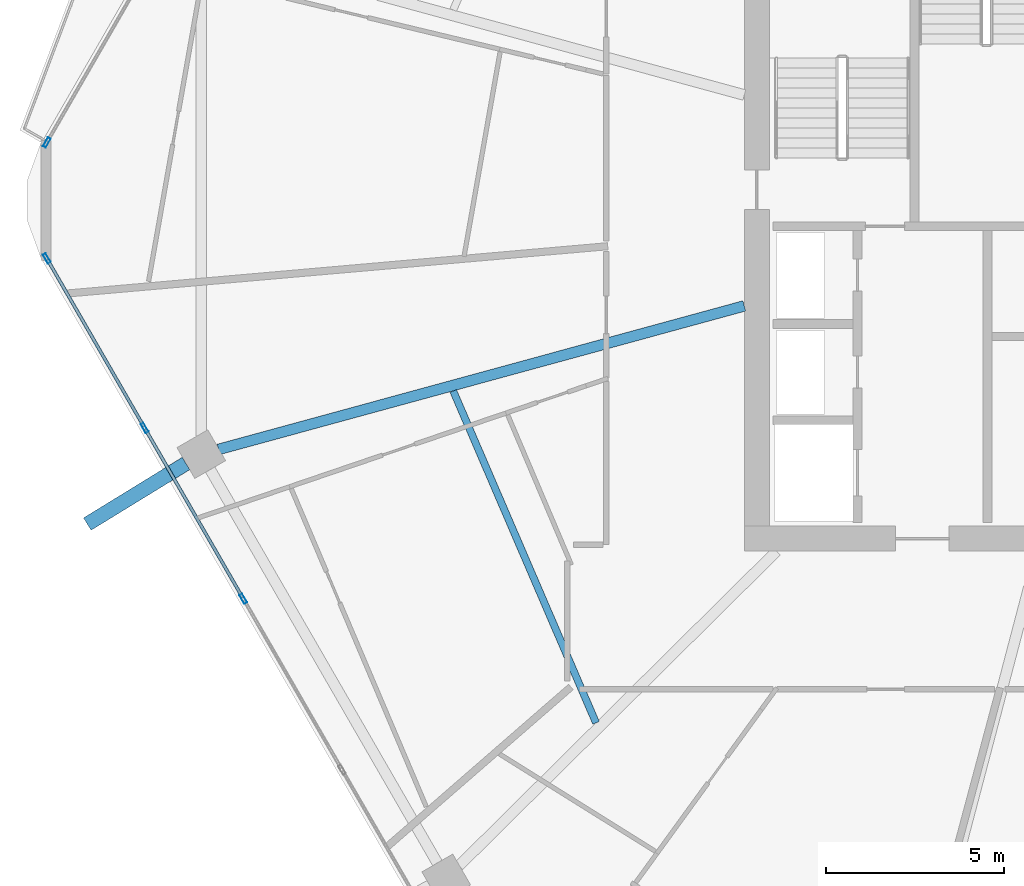
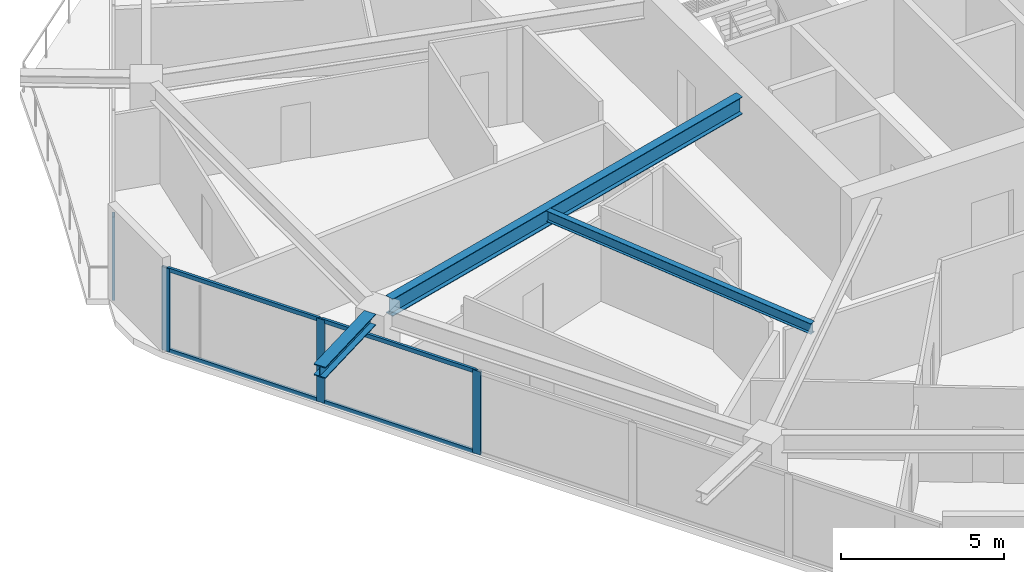
# One storey, part 5 of 26: 8 members, 3 beams, 2 elements without a shape of their own.
"""IFC4 building model written with IfcOpenShell, lengths in metres."""

from ifc_helpers import new_model, si_unit, direction, frame, origin, origin_2d, place, context, subcontext, project, spatial, hollow_rectangle, i_section, extrude, material, material_profile, profile_set, type_object, element, aggregate, save


model = new_model("IFC4")

# Units and contexts
model_context = context("Model", 3, precision=1e-05, world=origin(), true_north=direction((0.0, 1.0)))
body_context = subcontext(model_context, "Body", "Model", "MODEL_VIEW")
ifc_project = project(units=[si_unit("LENGTHUNIT", "METRE"), si_unit("AREAUNIT", "SQUARE_METRE"), si_unit("VOLUMEUNIT", "CUBIC_METRE"), si_unit("PLANEANGLEUNIT", "RADIAN"), si_unit("MASSUNIT", "GRAM", prefix="KILO")], contexts=[model_context])

# Site, building, storey
site_placement = place(None, origin())
site = spatial("IfcSite", under=ifc_project, at=site_placement, CompositionType="ELEMENT")
building_placement = place(site_placement, origin())
building = spatial("IfcBuilding", under=site, at=building_placement, Name="Zuhravey Tower", CompositionType="ELEMENT")
storey_placement = place(building_placement, frame((0.0, 0.0, 165.60009765625)))
storey = spatial("IfcBuildingStorey", under=building, at=storey_placement, Name="L41", CompositionType="ELEMENT", Elevation=165.60009765625)

# Curtain wall, members
ifc_material_1 = material(Name="Thermally broken anodised aluminium", Category="aluminium")
curtain_wall_type = type_object("IfcCurtainWallType", Name="Zone 1-2 Residential Curtain Wall CW3", PredefinedType="NOTDEFINED", material=ifc_material_1)
curtain_wall_1_placement = place(storey_placement, origin())
curtain_wall_1 = element("IfcCurtainWall", 1, at=curtain_wall_1_placement, inside=storey, type_object=curtain_wall_type, Name="L41 CW3 CW-L41-F4-1", PredefinedType="NOTDEFINED")
ifc_material_2 = material(Name="Anodised aluminium", Category="aluminium")
ifc_material_profile_1 = material_profile(ifc_material_2, hollow_rectangle(XDim=0.090087890625, YDim=0.284912109375, WallThickness=0.0048828125, at=origin_2d()), Name="ALU-RHS-90x285x5")
ifc_profile_set_1 = profile_set([ifc_material_profile_1], Name="Anodised aluminium")
member_type_1 = type_object("IfcMemberType", Name="Curtain-Wall Mullion 90x180", PredefinedType="MULLION", material=ifc_profile_set_1)
member_1_placement = place(storey_placement, frame((11.07275390625, 20.809326171875, 0.0), z_axis=(0.0, 0.0, 1.0), x_axis=(-0.866025138215, -0.500000459979, 0.0)))
member_1 = element("IfcMember", 2, at=member_1_placement, type_object=member_type_1, Name="CW3 mullion 4", PredefinedType="MULLION", context=body_context, shape_type="SweptSolid", body=[
    extrude(hollow_rectangle(XDim=0.090087890625, YDim=0.284912109375, WallThickness=0.0048828125, at=origin_2d()), origin(), (0.0, 0.0, 1.0), 3.121826171875),
])
member_2_placement = place(storey_placement, frame((8.300537109375, 25.61083984375, 0.0), z_axis=(0.0, 0.0, 1.0), x_axis=(-0.866025138215, -0.500000459979, 0.0)))
member_2 = element("IfcMember", 3, at=member_2_placement, type_object=member_type_1, Name="CW3 mullion 5", PredefinedType="MULLION", context=body_context, shape_type="SweptSolid", body=[
    extrude(hollow_rectangle(XDim=0.090087890625, YDim=0.284912109375, WallThickness=0.0048828125, at=origin_2d()), origin(), (0.0, 0.0, 1.0), 3.121826171875),
])
member_3_placement = place(storey_placement, frame((5.55078125, 30.37353515625, 0.0), z_axis=(0.0, 0.0, 1.0), x_axis=(-0.866025138215, -0.500000459979, 0.0)))
member_3 = element("IfcMember", 4, at=member_3_placement, type_object=member_type_1, Name="CW3 mullion 6", PredefinedType="MULLION", context=body_context, shape_type="SweptSolid", body=[
    extrude(hollow_rectangle(XDim=0.090087890625, YDim=0.284912109375, WallThickness=0.0048828125, at=origin_2d()), origin(), (0.0, 0.0, 1.0), 3.121826171875),
])

# Curtain wall, member
curtain_wall_2_placement = place(storey_placement, origin())
curtain_wall_2 = element("IfcCurtainWall", 5, at=curtain_wall_2_placement, inside=storey, type_object=curtain_wall_type, Name="L41 CW3 CW-L41-F3-1", PredefinedType="NOTDEFINED")
member_4_placement = place(storey_placement, frame((5.55078125, 33.62646484375, 0.0), z_axis=(0.0, 0.0, 1.0), x_axis=(-0.866023388245, 0.500003491, 0.0)))
member_4 = element("IfcMember", 6, at=member_4_placement, type_object=member_type_1, Name="CW3 mullion 1", PredefinedType="MULLION", context=body_context, shape_type="SweptSolid", body=[
    extrude(hollow_rectangle(XDim=0.090087890625, YDim=0.284912109375, WallThickness=0.0048828125, at=origin_2d()), origin(), (0.0, 0.0, 1.0), 3.121826171875),
])
aggregate(curtain_wall_2, [member_4])

# Member
ifc_material_profile_2 = material_profile(ifc_material_2, hollow_rectangle(XDim=0.090087890625, YDim=0.14990234375, WallThickness=0.0048828125, at=origin_2d()), Name="ALU-RHS-90x150x5")
ifc_profile_set_2 = profile_set([ifc_material_profile_2], Name="Anodised aluminium")
member_type_2 = type_object("IfcMemberType", Name="Curtain-Wall Transom 90x150", PredefinedType="USERDEFINED", material=ifc_profile_set_2)
member_5_placement = place(storey_placement, frame((11.050048828125, 20.84814453125, 0.044921875), z_axis=(-0.49996138257, 0.86604769842, 0.0), x_axis=(-0.86604769842, -0.49996138257, 0.0)))
member_5 = element("IfcMember", 7, at=member_5_placement, type_object=member_type_2, Name="CW3 transom 4.1", ObjectType="TRANSOM", PredefinedType="USERDEFINED", context=body_context, shape_type="SweptSolid", body=[
    extrude(hollow_rectangle(XDim=0.090087890625, YDim=0.14990234375, WallThickness=0.0048828125, at=origin_2d()), origin(), (0.0, 0.0, 1.0), 5.45458984375),
])

member_6_placement = place(storey_placement, frame((11.050048828125, 20.84814453125, 3.076904296875), z_axis=(-0.49996138257, 0.86604769842, 0.0), x_axis=(-0.86604769842, -0.49996138257, 0.0)))
member_6 = element("IfcMember", 8, at=member_6_placement, type_object=member_type_2, Name="CW3 transom 4.2", ObjectType="TRANSOM", PredefinedType="USERDEFINED", context=body_context, shape_type="SweptSolid", body=[
    extrude(hollow_rectangle(XDim=0.090087890625, YDim=0.14990234375, WallThickness=0.0048828125, at=origin_2d()), origin(), (0.0, 0.0, 1.0), 5.45458984375),
])

member_7_placement = place(storey_placement, frame((8.27783203125, 25.64990234375, 0.044921875), z_axis=(-0.499993332629, 0.866029253159, 0.0), x_axis=(-0.866029253159, -0.499993332629, 0.0)))
member_7 = element("IfcMember", 9, at=member_7_placement, type_object=member_type_2, Name="CW3 transom 5.1", ObjectType="TRANSOM", PredefinedType="USERDEFINED", context=body_context, shape_type="SweptSolid", body=[
    extrude(hollow_rectangle(XDim=0.090087890625, YDim=0.14990234375, WallThickness=0.0048828125, at=origin_2d()), origin(), (0.0, 0.0, 1.0), 5.4091796875),
])

member_8_placement = place(storey_placement, frame((8.27783203125, 25.64990234375, 3.076904296875), z_axis=(-0.499993332629, 0.866029253159, 0.0), x_axis=(-0.866029253159, -0.499993332629, 0.0)))
member_8 = element("IfcMember", 10, at=member_8_placement, type_object=member_type_2, Name="CW3 transom 5.2", ObjectType="TRANSOM", PredefinedType="USERDEFINED", context=body_context, shape_type="SweptSolid", body=[
    extrude(hollow_rectangle(XDim=0.090087890625, YDim=0.14990234375, WallThickness=0.0048828125, at=origin_2d()), origin(), (0.0, 0.0, 1.0), 5.4091796875),
])

aggregate(curtain_wall_1, [member_1, member_2, member_3, member_5, member_6, member_7, member_8])

# Beams
ifc_material_3 = material(Name="Steel SM460", Category="steel")
ifc_material_profile_3 = material_profile(ifc_material_3, i_section(OverallWidth=0.406982421875, OverallDepth=0.427978515625, WebThickness=0.02001953125, FlangeThickness=0.034912109375, at=origin_2d()), Name="H-428x407x20x35")
ifc_profile_set_3 = profile_set([ifc_material_profile_3], Name="Steel SM460")
beam_type_1 = type_object("IfcBeamType", Name="Exoskeleton Node Tie Beam H428x407", PredefinedType="BEAM", material=ifc_profile_set_3)
beam_1_placement = place(storey_placement, frame((9.462646484375, 24.60986328125, 3.3359375), z_axis=(-0.852296870051, -0.523058357453, 0.0), x_axis=(0.523058357453, -0.852296870051, 0.0)))
element("IfcBeam", 11, at=beam_1_placement, inside=storey, type_object=beam_type_1, Name="L41 Exoskeleton Node Tie NT1-07", PredefinedType="BEAM", context=body_context, shape_type="SweptSolid", body=[
    extrude(i_section(OverallWidth=0.406982421875, OverallDepth=0.427978515625, WebThickness=0.02001953125, FlangeThickness=0.034912109375, at=origin_2d()), origin(), (0.0, 0.0, 1.0), 3.25244140625),
])
ifc_material_4 = material(Name="Steel SM355", Category="steel")
ifc_material_profile_4 = material_profile(ifc_material_4, i_section(OverallWidth=0.300048828125, OverallDepth=0.64990234375, WebThickness=0.012939453125, FlangeThickness=0.02197265625, at=origin_2d()), Name="H-650x300x13x22")
ifc_profile_set_4 = profile_set([ifc_material_profile_4], Name="Steel SM355")
beam_type_2 = type_object("IfcBeamType", Name="Radial Primary Girder H650x300", PredefinedType="BEAM", material=ifc_profile_set_4)
beam_2_placement = place(storey_placement, frame((25.14697265625, 29.03759765625, 3.224853515625), z_axis=(-0.964701601771, -0.263345437667, 0.0), x_axis=(0.263345437667, -0.964701601771, 0.0)))
element("IfcBeam", 12, at=beam_2_placement, inside=storey, type_object=beam_type_2, Name="L41 RG2 BM-L41-RAD-07", PredefinedType="BEAM", context=body_context, shape_type="SweptSolid", body=[
    extrude(i_section(OverallWidth=0.300048828125, OverallDepth=0.64990234375, WebThickness=0.012939453125, FlangeThickness=0.02197265625, at=origin_2d()), origin(), (0.0, 0.0, 1.0), 15.309814453125),
])
ifc_material_profile_5 = material_profile(ifc_material_4, i_section(OverallWidth=0.199951171875, OverallDepth=0.39990234375, WebThickness=0.008056640625, FlangeThickness=0.012939453125, at=origin_2d()), Name="H-400x200x8x13")
ifc_profile_set_5 = profile_set([ifc_material_profile_5], Name="Steel SM355")
beam_type_3 = type_object("IfcBeamType", Name="Secondary Floor Joist H400x200", PredefinedType="JOIST", material=ifc_profile_set_5)
beam_3_placement = place(storey_placement, frame((16.970458984375, 26.6474609375, 3.349853515625), z_axis=(0.395265853487, -0.918566766799, 0.0), x_axis=(0.918566766799, 0.395265853487, 0.0)))
element("IfcBeam", 13, at=beam_3_placement, inside=storey, type_object=beam_type_3, Name="L41 SJ2 BM-L41-SJ-07-1", PredefinedType="JOIST", context=body_context, shape_type="SweptSolid", body=[
    extrude(i_section(OverallWidth=0.199951171875, OverallDepth=0.39990234375, WebThickness=0.008056640625, FlangeThickness=0.012939453125, at=origin_2d()), origin(), (0.0, 0.0, 1.0), 10.150146484375),
])

save(model, "model.ifc")
